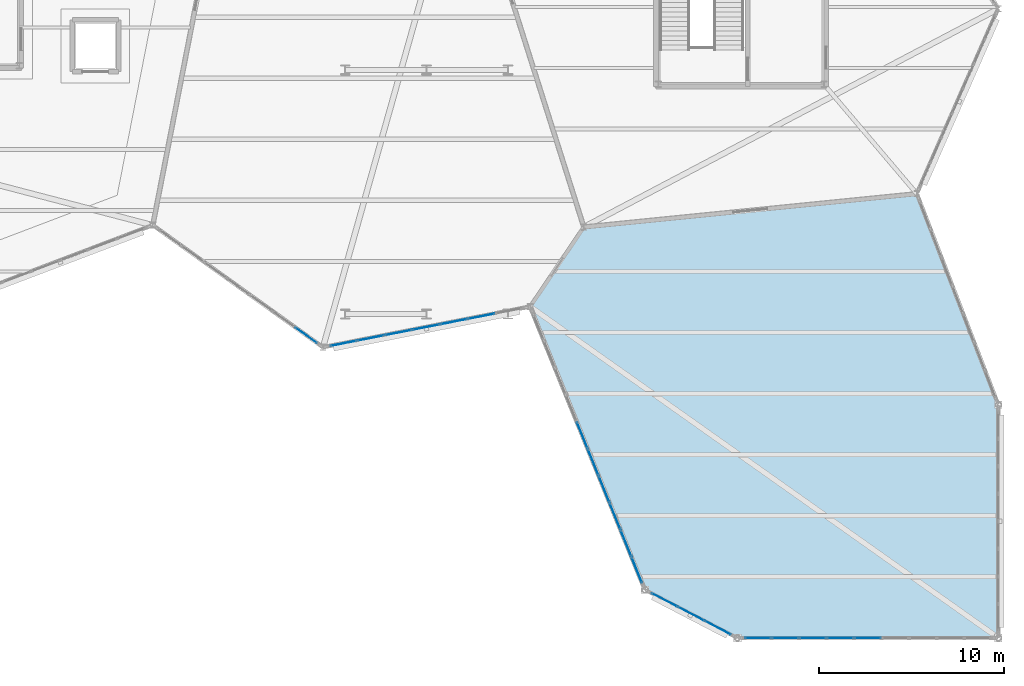
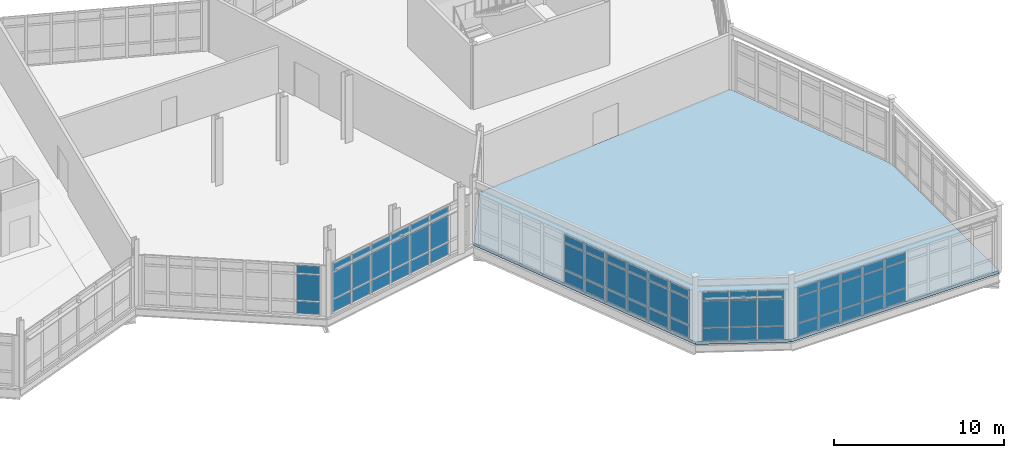
# One storey, part 96 of 134: 63 plates, 1 slab, 5 elements without a shape of their own.
"""IFC4 building model written with IfcOpenShell, lengths in metres."""

from ifc_helpers import new_model, si_unit, direction, frame, origin, origin_2d, place, context, subcontext, project, spatial, polyline, rectangle, outline, extrude, material, layer, layer_set, type_object, element, aggregate, save


model = new_model("IFC4")

# Units and contexts
model_context = context("Model", 3, precision=1e-05, world=origin(), true_north=direction((0.0, 1.0)))
body_context = subcontext(model_context, "Body", "Model", "MODEL_VIEW")
ifc_project = project(units=[si_unit("LENGTHUNIT", "METRE"), si_unit("AREAUNIT", "SQUARE_METRE"), si_unit("VOLUMEUNIT", "CUBIC_METRE"), si_unit("PLANEANGLEUNIT", "RADIAN"), si_unit("MASSUNIT", "GRAM", prefix="KILO")], contexts=[model_context])

# Site, building, storey
site_placement = place(None, origin())
site = spatial("IfcSite", under=ifc_project, at=site_placement, CompositionType="ELEMENT")
building_placement = place(site_placement, origin())
building = spatial("IfcBuilding", under=site, at=building_placement, Name="Tameran Prism Museum", CompositionType="ELEMENT")
storey_placement = place(building_placement, frame((0.0, 0.0, 5.39990234375)))
storey = spatial("IfcBuildingStorey", under=building, at=storey_placement, Name="L01", CompositionType="ELEMENT", Elevation=5.39990234375)

# Curtain wall, plates
ifc_material_1 = material(Name="Anodised Aluminium 6063-T6 and Cyclone Solar Glass", Category="aluminium")
curtain_wall_type_1 = type_object("IfcCurtainWallType", Name="CW-FAC-1065x362", PredefinedType="USERDEFINED", material=ifc_material_1)
curtain_wall_1_placement = place(storey_placement, origin())
curtain_wall_1 = element("IfcCurtainWall", 1, at=curtain_wall_1_placement, inside=storey, type_object=curtain_wall_type_1, Name="Unitised Curtain Wall CW-077", ObjectType="UNITISED CURTAIN WALL", PredefinedType="USERDEFINED")
ifc_material_2 = material(Name="Low-E Laminated Solar Glass", Category="glass")
ifc_layer_1 = layer(ifc_material_2, 0.028076171875)
ifc_layer_set_1 = layer_set([ifc_layer_1])
plate_type_1 = type_object("IfcPlateType", Name="CW-PNL-G28", PredefinedType="CURTAIN_PANEL", material=ifc_layer_set_1)
plate_1_placement = place(storey_placement, frame((138.457763671875, 17.380859375, 0.0751953125), z_axis=(0.0, 0.0, 1.0), x_axis=(-0.981242797485, -0.192775964228, 0.0)))
plate_1 = element("IfcPlate", 2, at=plate_1_placement, type_object=plate_type_1, Name="CW-077 panel 2.1", PredefinedType="CURTAIN_PANEL", context=body_context, shape_type="SweptSolid", body=[
    extrude(rectangle(XDim=1.447021484375, YDim=0.028076171875, at=origin_2d()), origin(), (0.0, 0.0, 1.0), 0.887451171875),
])
plate_2_placement = place(storey_placement, frame((138.457763671875, 17.380859375, 1.03759765625), z_axis=(0.0, 0.0, 1.0), x_axis=(-0.981242797485, -0.192775964228, 0.0)))
plate_2 = element("IfcPlate", 3, at=plate_2_placement, type_object=plate_type_1, Name="CW-077 panel 2.2", PredefinedType="CURTAIN_PANEL", context=body_context, shape_type="SweptSolid", body=[
    extrude(rectangle(XDim=1.447021484375, YDim=0.028076171875, at=origin_2d()), origin(), (0.0, 0.0, 1.0), 1.864990234375),
])
plate_3_placement = place(storey_placement, frame((138.457763671875, 17.380859375, 2.9775390625), z_axis=(0.0, 0.0, 1.0), x_axis=(-0.981242797485, -0.192775964228, 0.0)))
plate_3 = element("IfcPlate", 4, at=plate_3_placement, type_object=plate_type_1, Name="CW-077 panel 2.3", PredefinedType="CURTAIN_PANEL", context=body_context, shape_type="SweptSolid", body=[
    extrude(rectangle(XDim=1.447021484375, YDim=0.028076171875, at=origin_2d()), origin(), (0.0, 0.0, 1.0), 0.5673828125),
])
plate_4_placement = place(storey_placement, frame((136.964111328125, 17.08740234375, 0.0751953125), z_axis=(0.0, 0.0, 1.0), x_axis=(-0.981242797485, -0.192775964228, 0.0)))
plate_4 = element("IfcPlate", 5, at=plate_4_placement, type_object=plate_type_1, Name="CW-077 panel 3.1", PredefinedType="CURTAIN_PANEL", context=body_context, shape_type="SweptSolid", body=[
    extrude(rectangle(XDim=1.447021484375, YDim=0.028076171875, at=origin_2d()), origin(), (0.0, 0.0, 1.0), 0.887451171875),
])
plate_5_placement = place(storey_placement, frame((136.964111328125, 17.08740234375, 1.03759765625), z_axis=(0.0, 0.0, 1.0), x_axis=(-0.981242797485, -0.192775964228, 0.0)))
plate_5 = element("IfcPlate", 6, at=plate_5_placement, type_object=plate_type_1, Name="CW-077 panel 3.2", PredefinedType="CURTAIN_PANEL", context=body_context, shape_type="SweptSolid", body=[
    extrude(rectangle(XDim=1.447021484375, YDim=0.028076171875, at=origin_2d()), origin(), (0.0, 0.0, 1.0), 1.864990234375),
])
plate_6_placement = place(storey_placement, frame((136.964111328125, 17.08740234375, 2.9775390625), z_axis=(0.0, 0.0, 1.0), x_axis=(-0.981242797485, -0.192775964228, 0.0)))
plate_6 = element("IfcPlate", 7, at=plate_6_placement, type_object=plate_type_1, Name="CW-077 panel 3.3", PredefinedType="CURTAIN_PANEL", context=body_context, shape_type="SweptSolid", body=[
    extrude(rectangle(XDim=1.447021484375, YDim=0.028076171875, at=origin_2d()), origin(), (0.0, 0.0, 1.0), 0.5673828125),
])
plate_7_placement = place(storey_placement, frame((135.470458984375, 16.7939453125, 0.0751953125), z_axis=(0.0, 0.0, 1.0), x_axis=(-0.981242797485, -0.192775964228, 0.0)))
plate_7 = element("IfcPlate", 8, at=plate_7_placement, type_object=plate_type_1, Name="CW-077 panel 4.1", PredefinedType="CURTAIN_PANEL", context=body_context, shape_type="SweptSolid", body=[
    extrude(rectangle(XDim=1.447021484375, YDim=0.028076171875, at=origin_2d()), origin(), (0.0, 0.0, 1.0), 0.887451171875),
])
plate_8_placement = place(storey_placement, frame((135.470458984375, 16.7939453125, 1.03759765625), z_axis=(0.0, 0.0, 1.0), x_axis=(-0.981242797485, -0.192775964228, 0.0)))
plate_8 = element("IfcPlate", 9, at=plate_8_placement, type_object=plate_type_1, Name="CW-077 panel 4.2", PredefinedType="CURTAIN_PANEL", context=body_context, shape_type="SweptSolid", body=[
    extrude(rectangle(XDim=1.447021484375, YDim=0.028076171875, at=origin_2d()), origin(), (0.0, 0.0, 1.0), 1.864990234375),
])
plate_9_placement = place(storey_placement, frame((135.470458984375, 16.7939453125, 2.9775390625), z_axis=(0.0, 0.0, 1.0), x_axis=(-0.981242797485, -0.192775964228, 0.0)))
plate_9 = element("IfcPlate", 10, at=plate_9_placement, type_object=plate_type_1, Name="CW-077 panel 4.3", PredefinedType="CURTAIN_PANEL", context=body_context, shape_type="SweptSolid", body=[
    extrude(rectangle(XDim=1.447021484375, YDim=0.028076171875, at=origin_2d()), origin(), (0.0, 0.0, 1.0), 0.5673828125),
])
plate_10_placement = place(storey_placement, frame((133.976806640625, 16.50048828125, 0.0751953125), z_axis=(0.0, 0.0, 1.0), x_axis=(-0.981242797485, -0.192775964228, 0.0)))
plate_10 = element("IfcPlate", 11, at=plate_10_placement, type_object=plate_type_1, Name="CW-077 panel 5.1", PredefinedType="CURTAIN_PANEL", context=body_context, shape_type="SweptSolid", body=[
    extrude(rectangle(XDim=1.447021484375, YDim=0.028076171875, at=origin_2d()), origin(), (0.0, 0.0, 1.0), 0.887451171875),
])
plate_11_placement = place(storey_placement, frame((133.976806640625, 16.50048828125, 1.03759765625), z_axis=(0.0, 0.0, 1.0), x_axis=(-0.981242797485, -0.192775964228, 0.0)))
plate_11 = element("IfcPlate", 12, at=plate_11_placement, type_object=plate_type_1, Name="CW-077 panel 5.2", PredefinedType="CURTAIN_PANEL", context=body_context, shape_type="SweptSolid", body=[
    extrude(rectangle(XDim=1.447021484375, YDim=0.028076171875, at=origin_2d()), origin(), (0.0, 0.0, 1.0), 1.864990234375),
])
plate_12_placement = place(storey_placement, frame((133.976806640625, 16.50048828125, 2.9775390625), z_axis=(0.0, 0.0, 1.0), x_axis=(-0.981242797485, -0.192775964228, 0.0)))
plate_12 = element("IfcPlate", 13, at=plate_12_placement, type_object=plate_type_1, Name="CW-077 panel 5.3", PredefinedType="CURTAIN_PANEL", context=body_context, shape_type="SweptSolid", body=[
    extrude(rectangle(XDim=1.447021484375, YDim=0.028076171875, at=origin_2d()), origin(), (0.0, 0.0, 1.0), 0.5673828125),
])
plate_13_placement = place(storey_placement, frame((132.4833984375, 16.20703125, 0.0751953125), z_axis=(0.0, 0.0, 1.0), x_axis=(-0.981242797485, -0.192775964228, 0.0)))
plate_13 = element("IfcPlate", 14, at=plate_13_placement, type_object=plate_type_1, Name="CW-077 panel 6.1", PredefinedType="CURTAIN_PANEL", context=body_context, shape_type="SweptSolid", body=[
    extrude(rectangle(XDim=1.447021484375, YDim=0.028076171875, at=origin_2d()), origin(), (0.0, 0.0, 1.0), 0.887451171875),
])
plate_14_placement = place(storey_placement, frame((132.4833984375, 16.20703125, 1.03759765625), z_axis=(0.0, 0.0, 1.0), x_axis=(-0.981242797485, -0.192775964228, 0.0)))
plate_14 = element("IfcPlate", 15, at=plate_14_placement, type_object=plate_type_1, Name="CW-077 panel 6.2", PredefinedType="CURTAIN_PANEL", context=body_context, shape_type="SweptSolid", body=[
    extrude(rectangle(XDim=1.447021484375, YDim=0.028076171875, at=origin_2d()), origin(), (0.0, 0.0, 1.0), 1.864990234375),
])
plate_15_placement = place(storey_placement, frame((132.4833984375, 16.20703125, 2.9775390625), z_axis=(0.0, 0.0, 1.0), x_axis=(-0.981242797485, -0.192775964228, 0.0)))
plate_15 = element("IfcPlate", 16, at=plate_15_placement, type_object=plate_type_1, Name="CW-077 panel 6.3", PredefinedType="CURTAIN_PANEL", context=body_context, shape_type="SweptSolid", body=[
    extrude(rectangle(XDim=1.447021484375, YDim=0.028076171875, at=origin_2d()), origin(), (0.0, 0.0, 1.0), 0.5673828125),
])
plate_16_placement = place(storey_placement, frame((131.00830078125, 15.917236328125, 0.0751953125), z_axis=(0.0, 0.0, 1.0), x_axis=(-0.981242797485, -0.192775964228, 0.0)))
plate_16 = element("IfcPlate", 17, at=plate_16_placement, type_object=plate_type_1, Name="CW-077 panel 7.1", PredefinedType="CURTAIN_PANEL", context=body_context, shape_type="SweptSolid", body=[
    extrude(rectangle(XDim=1.40966796875, YDim=0.028076171875, at=origin_2d()), origin(), (0.0, 0.0, 1.0), 0.887451171875),
])
plate_17_placement = place(storey_placement, frame((131.00830078125, 15.917236328125, 1.03759765625), z_axis=(0.0, 0.0, 1.0), x_axis=(-0.981242797485, -0.192775964228, 0.0)))
plate_17 = element("IfcPlate", 18, at=plate_17_placement, type_object=plate_type_1, Name="CW-077 panel 7.2", PredefinedType="CURTAIN_PANEL", context=body_context, shape_type="SweptSolid", body=[
    extrude(rectangle(XDim=1.40966796875, YDim=0.028076171875, at=origin_2d()), origin(), (0.0, 0.0, 1.0), 1.864990234375),
])
plate_18_placement = place(storey_placement, frame((131.00830078125, 15.917236328125, 2.9775390625), z_axis=(0.0, 0.0, 1.0), x_axis=(-0.981242797485, -0.192775964228, 0.0)))
plate_18 = element("IfcPlate", 19, at=plate_18_placement, type_object=plate_type_1, Name="CW-077 panel 7.3", PredefinedType="CURTAIN_PANEL", context=body_context, shape_type="SweptSolid", body=[
    extrude(rectangle(XDim=1.40966796875, YDim=0.028076171875, at=origin_2d()), origin(), (0.0, 0.0, 1.0), 0.5673828125),
])
aggregate(curtain_wall_1, [plate_1, plate_2, plate_3, plate_4, plate_5, plate_6, plate_7, plate_8, plate_9, plate_10, plate_11, plate_12, plate_13, plate_14, plate_15, plate_16, plate_17, plate_18])

ifc_material_3 = material(Name="Anodised Aluminium 6063-T6 and Cyclone Solar Glass", Category="aluminium")
curtain_wall_type_2 = type_object("IfcCurtainWallType", Name="CW-FAC-1340x362", PredefinedType="USERDEFINED", material=ifc_material_3)
curtain_wall_2_placement = place(storey_placement, origin())
curtain_wall_2 = element("IfcCurtainWall", 20, at=curtain_wall_2_placement, inside=storey, type_object=curtain_wall_type_2, Name="Unitised Curtain Wall CW-080", ObjectType="UNITISED CURTAIN WALL", PredefinedType="USERDEFINED")
plate_19_placement = place(storey_placement, frame((159.35009765625, 0.0, 0.070068359375), z_axis=(0.0, 0.0, 1.0), x_axis=(-1.0, 0.0, 0.0)))
plate_19 = element("IfcPlate", 21, at=plate_19_placement, type_object=plate_type_1, Name="CW-080 panel 5.1", PredefinedType="CURTAIN_PANEL", context=body_context, shape_type="SweptSolid", body=[
    extrude(rectangle(XDim=1.4189453125, YDim=0.028076171875, at=origin_2d()), origin(), (0.0, 0.0, 1.0), 0.89501953125),
])
plate_20_placement = place(storey_placement, frame((159.35009765625, 0.0, 1.03515625), z_axis=(0.0, 0.0, 1.0), x_axis=(-1.0, 0.0, 0.0)))
plate_20 = element("IfcPlate", 22, at=plate_20_placement, type_object=plate_type_1, Name="CW-080 panel 5.2", PredefinedType="CURTAIN_PANEL", context=body_context, shape_type="SweptSolid", body=[
    extrude(rectangle(XDim=1.4189453125, YDim=0.028076171875, at=origin_2d()), origin(), (0.0, 0.0, 1.0), 1.8701171875),
])
plate_21_placement = place(storey_placement, frame((159.35009765625, 0.0, 2.97509765625), z_axis=(0.0, 0.0, 1.0), x_axis=(-1.0, 0.0, 0.0)))
plate_21 = element("IfcPlate", 23, at=plate_21_placement, type_object=plate_type_1, Name="CW-080 panel 5.3", PredefinedType="CURTAIN_PANEL", context=body_context, shape_type="SweptSolid", body=[
    extrude(rectangle(XDim=1.4189453125, YDim=0.028076171875, at=origin_2d()), origin(), (0.0, 0.0, 1.0), 0.574951171875),
])
plate_22_placement = place(storey_placement, frame((157.861083984375, 0.0, 0.070068359375), z_axis=(0.0, 0.0, 1.0), x_axis=(-1.0, 0.0, 0.0)))
plate_22 = element("IfcPlate", 24, at=plate_22_placement, type_object=plate_type_1, Name="CW-080 panel 6.1", PredefinedType="CURTAIN_PANEL", context=body_context, shape_type="SweptSolid", body=[
    extrude(rectangle(XDim=1.4189453125, YDim=0.028076171875, at=origin_2d()), origin(), (0.0, 0.0, 1.0), 0.89501953125),
])
plate_23_placement = place(storey_placement, frame((157.861083984375, 0.0, 1.03515625), z_axis=(0.0, 0.0, 1.0), x_axis=(-1.0, 0.0, 0.0)))
plate_23 = element("IfcPlate", 25, at=plate_23_placement, type_object=plate_type_1, Name="CW-080 panel 6.2", PredefinedType="CURTAIN_PANEL", context=body_context, shape_type="SweptSolid", body=[
    extrude(rectangle(XDim=1.4189453125, YDim=0.028076171875, at=origin_2d()), origin(), (0.0, 0.0, 1.0), 1.8701171875),
])
plate_24_placement = place(storey_placement, frame((157.861083984375, 0.0, 2.97509765625), z_axis=(0.0, 0.0, 1.0), x_axis=(-1.0, 0.0, 0.0)))
plate_24 = element("IfcPlate", 26, at=plate_24_placement, type_object=plate_type_1, Name="CW-080 panel 6.3", PredefinedType="CURTAIN_PANEL", context=body_context, shape_type="SweptSolid", body=[
    extrude(rectangle(XDim=1.4189453125, YDim=0.028076171875, at=origin_2d()), origin(), (0.0, 0.0, 1.0), 0.574951171875),
])
plate_25_placement = place(storey_placement, frame((156.372314453125, 0.0, 0.070068359375), z_axis=(0.0, 0.0, 1.0), x_axis=(-1.0, 0.0, 0.0)))
plate_25 = element("IfcPlate", 27, at=plate_25_placement, type_object=plate_type_1, Name="CW-080 panel 7.1", PredefinedType="CURTAIN_PANEL", context=body_context, shape_type="SweptSolid", body=[
    extrude(rectangle(XDim=1.4189453125, YDim=0.028076171875, at=origin_2d()), origin(), (0.0, 0.0, 1.0), 0.89501953125),
])
plate_26_placement = place(storey_placement, frame((156.372314453125, 0.0, 1.03515625), z_axis=(0.0, 0.0, 1.0), x_axis=(-1.0, 0.0, 0.0)))
plate_26 = element("IfcPlate", 28, at=plate_26_placement, type_object=plate_type_1, Name="CW-080 panel 7.2", PredefinedType="CURTAIN_PANEL", context=body_context, shape_type="SweptSolid", body=[
    extrude(rectangle(XDim=1.4189453125, YDim=0.028076171875, at=origin_2d()), origin(), (0.0, 0.0, 1.0), 1.8701171875),
])
plate_27_placement = place(storey_placement, frame((156.372314453125, 0.0, 2.97509765625), z_axis=(0.0, 0.0, 1.0), x_axis=(-1.0, 0.0, 0.0)))
plate_27 = element("IfcPlate", 29, at=plate_27_placement, type_object=plate_type_1, Name="CW-080 panel 7.3", PredefinedType="CURTAIN_PANEL", context=body_context, shape_type="SweptSolid", body=[
    extrude(rectangle(XDim=1.4189453125, YDim=0.028076171875, at=origin_2d()), origin(), (0.0, 0.0, 1.0), 0.574951171875),
])
plate_28_placement = place(storey_placement, frame((154.88330078125, 0.0, 0.070068359375), z_axis=(0.0, 0.0, 1.0), x_axis=(-1.0, 0.0, 0.0)))
plate_28 = element("IfcPlate", 30, at=plate_28_placement, type_object=plate_type_1, Name="CW-080 panel 8.1", PredefinedType="CURTAIN_PANEL", context=body_context, shape_type="SweptSolid", body=[
    extrude(rectangle(XDim=1.4189453125, YDim=0.028076171875, at=origin_2d()), origin(), (0.0, 0.0, 1.0), 0.89501953125),
])
plate_29_placement = place(storey_placement, frame((154.88330078125, 0.0, 1.03515625), z_axis=(0.0, 0.0, 1.0), x_axis=(-1.0, 0.0, 0.0)))
plate_29 = element("IfcPlate", 31, at=plate_29_placement, type_object=plate_type_1, Name="CW-080 panel 8.2", PredefinedType="CURTAIN_PANEL", context=body_context, shape_type="SweptSolid", body=[
    extrude(rectangle(XDim=1.4189453125, YDim=0.028076171875, at=origin_2d()), origin(), (0.0, 0.0, 1.0), 1.8701171875),
])
plate_30_placement = place(storey_placement, frame((154.88330078125, 0.0, 2.97509765625), z_axis=(0.0, 0.0, 1.0), x_axis=(-1.0, 0.0, 0.0)))
plate_30 = element("IfcPlate", 32, at=plate_30_placement, type_object=plate_type_1, Name="CW-080 panel 8.3", PredefinedType="CURTAIN_PANEL", context=body_context, shape_type="SweptSolid", body=[
    extrude(rectangle(XDim=1.4189453125, YDim=0.028076171875, at=origin_2d()), origin(), (0.0, 0.0, 1.0), 0.574951171875),
])
plate_31_placement = place(storey_placement, frame((153.411865234375, 0.0, 0.070068359375), z_axis=(0.0, 0.0, 1.0), x_axis=(-1.0, 0.0, 0.0)))
plate_31 = element("IfcPlate", 33, at=plate_31_placement, type_object=plate_type_1, Name="CW-080 panel 9.1", PredefinedType="CURTAIN_PANEL", context=body_context, shape_type="SweptSolid", body=[
    extrude(rectangle(XDim=1.3837890625, YDim=0.028076171875, at=origin_2d()), origin(), (0.0, 0.0, 1.0), 0.89501953125),
])
plate_32_placement = place(storey_placement, frame((153.411865234375, 0.0, 1.03515625), z_axis=(0.0, 0.0, 1.0), x_axis=(-1.0, 0.0, 0.0)))
plate_32 = element("IfcPlate", 34, at=plate_32_placement, type_object=plate_type_1, Name="CW-080 panel 9.2", PredefinedType="CURTAIN_PANEL", context=body_context, shape_type="SweptSolid", body=[
    extrude(rectangle(XDim=1.3837890625, YDim=0.028076171875, at=origin_2d()), origin(), (0.0, 0.0, 1.0), 1.8701171875),
])
plate_33_placement = place(storey_placement, frame((153.411865234375, 0.0, 2.97509765625), z_axis=(0.0, 0.0, 1.0), x_axis=(-1.0, 0.0, 0.0)))
plate_33 = element("IfcPlate", 35, at=plate_33_placement, type_object=plate_type_1, Name="CW-080 panel 9.3", PredefinedType="CURTAIN_PANEL", context=body_context, shape_type="SweptSolid", body=[
    extrude(rectangle(XDim=1.3837890625, YDim=0.028076171875, at=origin_2d()), origin(), (0.0, 0.0, 1.0), 0.574951171875),
])
aggregate(curtain_wall_2, [plate_19, plate_20, plate_21, plate_22, plate_23, plate_24, plate_25, plate_26, plate_27, plate_28, plate_29, plate_30, plate_31, plate_32, plate_33])

ifc_material_4 = material(Name="Anodised Aluminium 6063-T6 and Cyclone Solar Glass", Category="aluminium")
curtain_wall_type_3 = type_object("IfcCurtainWallType", Name="CW-FAC-1056x362", PredefinedType="USERDEFINED", material=ifc_material_4)
curtain_wall_3_placement = place(storey_placement, origin())
curtain_wall_3 = element("IfcCurtainWall", 36, at=curtain_wall_3_placement, inside=storey, type_object=curtain_wall_type_3, Name="Unitised Curtain Wall CW-076", ObjectType="UNITISED CURTAIN WALL", PredefinedType="USERDEFINED")
ifc_material_5 = material(Name="Cyclone Laminated Solar Glass", Category="glass")
ifc_layer_2 = layer(ifc_material_5, 0.031982421875)
ifc_layer_set_2 = layer_set([ifc_layer_2])
plate_type_2 = type_object("IfcPlateType", Name="CW-PNL-G32", PredefinedType="CURTAIN_PANEL", material=ifc_layer_set_2)
plate_34_placement = place(storey_placement, frame((128.98876953125, 16.35400390625, 0.070068359375), z_axis=(0.0, 0.0, 1.0), x_axis=(-0.812554821293, 0.582884776259, 0.0)))
plate_34 = element("IfcPlate", 37, at=plate_34_placement, type_object=plate_type_2, Name="CW-076 panel 1.1", PredefinedType="CURTAIN_PANEL", context=body_context, shape_type="SweptSolid", body=[
    extrude(rectangle(XDim=1.404052734375, YDim=0.031982421875, at=origin_2d()), origin(), (0.0, 0.0, 1.0), 0.89501953125),
])
plate_35_placement = place(storey_placement, frame((128.98876953125, 16.35400390625, 1.03515625), z_axis=(0.0, 0.0, 1.0), x_axis=(-0.812554821293, 0.582884776259, 0.0)))
plate_35 = element("IfcPlate", 38, at=plate_35_placement, type_object=plate_type_2, Name="CW-076 panel 1.2", PredefinedType="CURTAIN_PANEL", context=body_context, shape_type="SweptSolid", body=[
    extrude(rectangle(XDim=1.404052734375, YDim=0.031982421875, at=origin_2d()), origin(), (0.0, 0.0, 1.0), 1.8701171875),
])
plate_36_placement = place(storey_placement, frame((128.98876953125, 16.35400390625, 2.97509765625), z_axis=(0.0, 0.0, 1.0), x_axis=(-0.812554821293, 0.582884776259, 0.0)))
plate_36 = element("IfcPlate", 39, at=plate_36_placement, type_object=plate_type_2, Name="CW-076 panel 1.3", PredefinedType="CURTAIN_PANEL", context=body_context, shape_type="SweptSolid", body=[
    extrude(rectangle(XDim=1.404052734375, YDim=0.031982421875, at=origin_2d()), origin(), (0.0, 0.0, 1.0), 0.574951171875),
])
aggregate(curtain_wall_3, [plate_34, plate_35, plate_36])

ifc_material_6 = material(Name="Anodised Aluminium 6063-T6 and Cyclone Solar Glass", Category="aluminium")
curtain_wall_type_4 = type_object("IfcCurtainWallType", Name="CW-FAC-1575x362", PredefinedType="USERDEFINED", material=ifc_material_6)
curtain_wall_4_placement = place(storey_placement, origin())
curtain_wall_4 = element("IfcCurtainWall", 40, at=curtain_wall_4_placement, inside=storey, type_object=curtain_wall_type_4, Name="Unitised Curtain Wall CW-078", ObjectType="UNITISED CURTAIN WALL", PredefinedType="USERDEFINED")
plate_37_placement = place(storey_placement, frame((146.86572265625, 3.67236328125, 0.080078125), z_axis=(0.0, 0.0, 1.0), x_axis=(-0.375579825863, 0.926790048719, 0.0)))
plate_37 = element("IfcPlate", 41, at=plate_37_placement, type_object=plate_type_2, Name="CW-078 panel 1.1", PredefinedType="CURTAIN_PANEL", context=body_context, shape_type="SweptSolid", body=[
    extrude(rectangle(XDim=1.454833984375, YDim=0.031982421875, at=origin_2d()), origin(), (0.0, 0.0, 1.0), 0.8798828125),
])
plate_38_placement = place(storey_placement, frame((146.86572265625, 3.67236328125, 1.0400390625), z_axis=(0.0, 0.0, 1.0), x_axis=(-0.375579825863, 0.926790048719, 0.0)))
plate_38 = element("IfcPlate", 42, at=plate_38_placement, type_object=plate_type_2, Name="CW-078 panel 1.2", PredefinedType="CURTAIN_PANEL", context=body_context, shape_type="SweptSolid", body=[
    extrude(rectangle(XDim=1.454833984375, YDim=0.031982421875, at=origin_2d()), origin(), (0.0, 0.0, 1.0), 1.860107421875),
])
plate_39_placement = place(storey_placement, frame((146.86572265625, 3.67236328125, 2.97998046875), z_axis=(0.0, 0.0, 1.0), x_axis=(-0.375579825863, 0.926790048719, 0.0)))
plate_39 = element("IfcPlate", 43, at=plate_39_placement, type_object=plate_type_2, Name="CW-078 panel 1.3", PredefinedType="CURTAIN_PANEL", context=body_context, shape_type="SweptSolid", body=[
    extrude(rectangle(XDim=1.454833984375, YDim=0.031982421875, at=origin_2d()), origin(), (0.0, 0.0, 1.0), 0.56005859375),
])
plate_40_placement = place(storey_placement, frame((146.28173828125, 5.11328125, 0.080078125), z_axis=(0.0, 0.0, 1.0), x_axis=(-0.375579825863, 0.926790048719, 0.0)))
plate_40 = element("IfcPlate", 44, at=plate_40_placement, type_object=plate_type_2, Name="CW-078 panel 2.1", PredefinedType="CURTAIN_PANEL", context=body_context, shape_type="SweptSolid", body=[
    extrude(rectangle(XDim=1.494873046875, YDim=0.031982421875, at=origin_2d()), origin(), (0.0, 0.0, 1.0), 0.8798828125),
])
plate_41_placement = place(storey_placement, frame((146.28173828125, 5.11328125, 1.0400390625), z_axis=(0.0, 0.0, 1.0), x_axis=(-0.375579825863, 0.926790048719, 0.0)))
plate_41 = element("IfcPlate", 45, at=plate_41_placement, type_object=plate_type_2, Name="CW-078 panel 2.2", PredefinedType="CURTAIN_PANEL", context=body_context, shape_type="SweptSolid", body=[
    extrude(rectangle(XDim=1.494873046875, YDim=0.031982421875, at=origin_2d()), origin(), (0.0, 0.0, 1.0), 1.860107421875),
])
plate_42_placement = place(storey_placement, frame((146.28173828125, 5.11328125, 2.97998046875), z_axis=(0.0, 0.0, 1.0), x_axis=(-0.375579825863, 0.926790048719, 0.0)))
plate_42 = element("IfcPlate", 46, at=plate_42_placement, type_object=plate_type_2, Name="CW-078 panel 2.3", PredefinedType="CURTAIN_PANEL", context=body_context, shape_type="SweptSolid", body=[
    extrude(rectangle(XDim=1.494873046875, YDim=0.031982421875, at=origin_2d()), origin(), (0.0, 0.0, 1.0), 0.56005859375),
])
plate_43_placement = place(storey_placement, frame((145.690185546875, 6.572998046875, 0.080078125), z_axis=(0.0, 0.0, 1.0), x_axis=(-0.375579825863, 0.926790048719, 0.0)))
plate_43 = element("IfcPlate", 47, at=plate_43_placement, type_object=plate_type_2, Name="CW-078 panel 3.1", PredefinedType="CURTAIN_PANEL", context=body_context, shape_type="SweptSolid", body=[
    extrude(rectangle(XDim=1.494873046875, YDim=0.031982421875, at=origin_2d()), origin(), (0.0, 0.0, 1.0), 0.8798828125),
])
plate_44_placement = place(storey_placement, frame((145.690185546875, 6.572998046875, 1.0400390625), z_axis=(0.0, 0.0, 1.0), x_axis=(-0.375579825863, 0.926790048719, 0.0)))
plate_44 = element("IfcPlate", 48, at=plate_44_placement, type_object=plate_type_2, Name="CW-078 panel 3.2", PredefinedType="CURTAIN_PANEL", context=body_context, shape_type="SweptSolid", body=[
    extrude(rectangle(XDim=1.494873046875, YDim=0.031982421875, at=origin_2d()), origin(), (0.0, 0.0, 1.0), 1.860107421875),
])
plate_45_placement = place(storey_placement, frame((145.690185546875, 6.572998046875, 2.97998046875), z_axis=(0.0, 0.0, 1.0), x_axis=(-0.375579825863, 0.926790048719, 0.0)))
plate_45 = element("IfcPlate", 49, at=plate_45_placement, type_object=plate_type_2, Name="CW-078 panel 3.3", PredefinedType="CURTAIN_PANEL", context=body_context, shape_type="SweptSolid", body=[
    extrude(rectangle(XDim=1.494873046875, YDim=0.031982421875, at=origin_2d()), origin(), (0.0, 0.0, 1.0), 0.56005859375),
])
plate_46_placement = place(storey_placement, frame((145.0986328125, 8.03271484375, 0.080078125), z_axis=(0.0, 0.0, 1.0), x_axis=(-0.375579825863, 0.926790048719, 0.0)))
plate_46 = element("IfcPlate", 50, at=plate_46_placement, type_object=plate_type_2, Name="CW-078 panel 4.1", PredefinedType="CURTAIN_PANEL", context=body_context, shape_type="SweptSolid", body=[
    extrude(rectangle(XDim=1.494873046875, YDim=0.031982421875, at=origin_2d()), origin(), (0.0, 0.0, 1.0), 0.8798828125),
])
plate_47_placement = place(storey_placement, frame((145.0986328125, 8.03271484375, 1.0400390625), z_axis=(0.0, 0.0, 1.0), x_axis=(-0.375579825863, 0.926790048719, 0.0)))
plate_47 = element("IfcPlate", 51, at=plate_47_placement, type_object=plate_type_2, Name="CW-078 panel 4.2", PredefinedType="CURTAIN_PANEL", context=body_context, shape_type="SweptSolid", body=[
    extrude(rectangle(XDim=1.494873046875, YDim=0.031982421875, at=origin_2d()), origin(), (0.0, 0.0, 1.0), 1.860107421875),
])
plate_48_placement = place(storey_placement, frame((145.0986328125, 8.03271484375, 2.97998046875), z_axis=(0.0, 0.0, 1.0), x_axis=(-0.375579825863, 0.926790048719, 0.0)))
plate_48 = element("IfcPlate", 52, at=plate_48_placement, type_object=plate_type_2, Name="CW-078 panel 4.3", PredefinedType="CURTAIN_PANEL", context=body_context, shape_type="SweptSolid", body=[
    extrude(rectangle(XDim=1.494873046875, YDim=0.031982421875, at=origin_2d()), origin(), (0.0, 0.0, 1.0), 0.56005859375),
])
plate_49_placement = place(storey_placement, frame((144.50732421875, 9.4921875, 0.080078125), z_axis=(0.0, 0.0, 1.0), x_axis=(-0.375579825863, 0.926790048719, 0.0)))
plate_49 = element("IfcPlate", 53, at=plate_49_placement, type_object=plate_type_2, Name="CW-078 panel 5.1", PredefinedType="CURTAIN_PANEL", context=body_context, shape_type="SweptSolid", body=[
    extrude(rectangle(XDim=1.494873046875, YDim=0.031982421875, at=origin_2d()), origin(), (0.0, 0.0, 1.0), 0.8798828125),
])
plate_50_placement = place(storey_placement, frame((144.50732421875, 9.4921875, 1.0400390625), z_axis=(0.0, 0.0, 1.0), x_axis=(-0.375579825863, 0.926790048719, 0.0)))
plate_50 = element("IfcPlate", 54, at=plate_50_placement, type_object=plate_type_2, Name="CW-078 panel 5.2", PredefinedType="CURTAIN_PANEL", context=body_context, shape_type="SweptSolid", body=[
    extrude(rectangle(XDim=1.494873046875, YDim=0.031982421875, at=origin_2d()), origin(), (0.0, 0.0, 1.0), 1.860107421875),
])
plate_51_placement = place(storey_placement, frame((144.50732421875, 9.4921875, 2.97998046875), z_axis=(0.0, 0.0, 1.0), x_axis=(-0.375579825863, 0.926790048719, 0.0)))
plate_51 = element("IfcPlate", 55, at=plate_51_placement, type_object=plate_type_2, Name="CW-078 panel 5.3", PredefinedType="CURTAIN_PANEL", context=body_context, shape_type="SweptSolid", body=[
    extrude(rectangle(XDim=1.494873046875, YDim=0.031982421875, at=origin_2d()), origin(), (0.0, 0.0, 1.0), 0.56005859375),
])
plate_52_placement = place(storey_placement, frame((143.915771484375, 10.951904296875, 0.080078125), z_axis=(0.0, 0.0, 1.0), x_axis=(-0.375579825863, 0.926790048719, 0.0)))
plate_52 = element("IfcPlate", 56, at=plate_52_placement, type_object=plate_type_2, Name="CW-078 panel 6.1", PredefinedType="CURTAIN_PANEL", context=body_context, shape_type="SweptSolid", body=[
    extrude(rectangle(XDim=1.494873046875, YDim=0.031982421875, at=origin_2d()), origin(), (0.0, 0.0, 1.0), 0.8798828125),
])
plate_53_placement = place(storey_placement, frame((143.915771484375, 10.951904296875, 1.0400390625), z_axis=(0.0, 0.0, 1.0), x_axis=(-0.375579825863, 0.926790048719, 0.0)))
plate_53 = element("IfcPlate", 57, at=plate_53_placement, type_object=plate_type_2, Name="CW-078 panel 6.2", PredefinedType="CURTAIN_PANEL", context=body_context, shape_type="SweptSolid", body=[
    extrude(rectangle(XDim=1.494873046875, YDim=0.031982421875, at=origin_2d()), origin(), (0.0, 0.0, 1.0), 1.860107421875),
])
plate_54_placement = place(storey_placement, frame((143.915771484375, 10.951904296875, 2.97998046875), z_axis=(0.0, 0.0, 1.0), x_axis=(-0.375579825863, 0.926790048719, 0.0)))
plate_54 = element("IfcPlate", 58, at=plate_54_placement, type_object=plate_type_2, Name="CW-078 panel 6.3", PredefinedType="CURTAIN_PANEL", context=body_context, shape_type="SweptSolid", body=[
    extrude(rectangle(XDim=1.494873046875, YDim=0.031982421875, at=origin_2d()), origin(), (0.0, 0.0, 1.0), 0.56005859375),
])
aggregate(curtain_wall_4, [plate_37, plate_38, plate_39, plate_40, plate_41, plate_42, plate_43, plate_44, plate_45, plate_46, plate_47, plate_48, plate_49, plate_50, plate_51, plate_52, plate_53, plate_54])

ifc_material_7 = material(Name="Anodised Aluminium 6063-T6 and Cyclone Solar Glass", Category="aluminium")
curtain_wall_type_5 = type_object("IfcCurtainWallType", Name="CW-FAC-494x362", PredefinedType="USERDEFINED", material=ifc_material_7)
curtain_wall_5_placement = place(storey_placement, origin())
curtain_wall_5 = element("IfcCurtainWall", 59, at=curtain_wall_5_placement, inside=storey, type_object=curtain_wall_type_5, Name="Unitised Curtain Wall CW-079", ObjectType="UNITISED CURTAIN WALL", PredefinedType="USERDEFINED")
plate_55_placement = place(storey_placement, frame((151.244873046875, 0.548095703125, 0.06494140625), z_axis=(0.0, 0.0, 1.0), x_axis=(-0.887097339463, 0.461582398188, 0.0)))
plate_55 = element("IfcPlate", 60, at=plate_55_placement, type_object=plate_type_2, Name="CW-079 panel 1.1", PredefinedType="CURTAIN_PANEL", context=body_context, shape_type="SweptSolid", body=[
    extrude(rectangle(XDim=1.547607421875, YDim=0.031982421875, at=origin_2d()), origin(), (0.0, 0.0, 1.0), 0.902587890625),
])
plate_56_placement = place(storey_placement, frame((151.244873046875, 0.548095703125, 1.03271484375), z_axis=(0.0, 0.0, 1.0), x_axis=(-0.887097339463, 0.461582398188, 0.0)))
plate_56 = element("IfcPlate", 61, at=plate_56_placement, type_object=plate_type_2, Name="CW-079 panel 1.2", PredefinedType="CURTAIN_PANEL", context=body_context, shape_type="SweptSolid", body=[
    extrude(rectangle(XDim=1.547607421875, YDim=0.031982421875, at=origin_2d()), origin(), (0.0, 0.0, 1.0), 1.875),
])
plate_57_placement = place(storey_placement, frame((151.244873046875, 0.548095703125, 2.97265625), z_axis=(0.0, 0.0, 1.0), x_axis=(-0.887097339463, 0.461582398188, 0.0)))
plate_57 = element("IfcPlate", 62, at=plate_57_placement, type_object=plate_type_2, Name="CW-079 panel 1.3", PredefinedType="CURTAIN_PANEL", context=body_context, shape_type="SweptSolid", body=[
    extrude(rectangle(XDim=1.547607421875, YDim=0.031982421875, at=origin_2d()), origin(), (0.0, 0.0, 1.0), 0.58251953125),
])
plate_58_placement = place(storey_placement, frame((149.800048828125, 1.300048828125, 0.06494140625), z_axis=(0.0, 0.0, 1.0), x_axis=(-0.887097339463, 0.461582398188, 0.0)))
plate_58 = element("IfcPlate", 63, at=plate_58_placement, type_object=plate_type_2, Name="CW-079 panel 2.1", PredefinedType="CURTAIN_PANEL", context=body_context, shape_type="SweptSolid", body=[
    extrude(rectangle(XDim=1.580078125, YDim=0.031982421875, at=origin_2d()), origin(), (0.0, 0.0, 1.0), 0.902587890625),
])
plate_59_placement = place(storey_placement, frame((149.800048828125, 1.300048828125, 1.03271484375), z_axis=(0.0, 0.0, 1.0), x_axis=(-0.887097339463, 0.461582398188, 0.0)))
plate_59 = element("IfcPlate", 64, at=plate_59_placement, type_object=plate_type_2, Name="CW-079 panel 2.2", PredefinedType="CURTAIN_PANEL", context=body_context, shape_type="SweptSolid", body=[
    extrude(rectangle(XDim=1.580078125, YDim=0.031982421875, at=origin_2d()), origin(), (0.0, 0.0, 1.0), 1.875),
])
plate_60_placement = place(storey_placement, frame((149.800048828125, 1.300048828125, 2.97265625), z_axis=(0.0, 0.0, 1.0), x_axis=(-0.887097339463, 0.461582398188, 0.0)))
plate_60 = element("IfcPlate", 65, at=plate_60_placement, type_object=plate_type_2, Name="CW-079 panel 2.3", PredefinedType="CURTAIN_PANEL", context=body_context, shape_type="SweptSolid", body=[
    extrude(rectangle(XDim=1.580078125, YDim=0.031982421875, at=origin_2d()), origin(), (0.0, 0.0, 1.0), 0.58251953125),
])
plate_61_placement = place(storey_placement, frame((148.35498046875, 2.0517578125, 0.06494140625), z_axis=(0.0, 0.0, 1.0), x_axis=(-0.887097339463, 0.461582398188, 0.0)))
plate_61 = element("IfcPlate", 66, at=plate_61_placement, type_object=plate_type_2, Name="CW-079 panel 3.1", PredefinedType="CURTAIN_PANEL", context=body_context, shape_type="SweptSolid", body=[
    extrude(rectangle(XDim=1.547607421875, YDim=0.031982421875, at=origin_2d()), origin(), (0.0, 0.0, 1.0), 0.902587890625),
])
plate_62_placement = place(storey_placement, frame((148.35498046875, 2.0517578125, 1.03271484375), z_axis=(0.0, 0.0, 1.0), x_axis=(-0.887097339463, 0.461582398188, 0.0)))
plate_62 = element("IfcPlate", 67, at=plate_62_placement, type_object=plate_type_2, Name="CW-079 panel 3.2", PredefinedType="CURTAIN_PANEL", context=body_context, shape_type="SweptSolid", body=[
    extrude(rectangle(XDim=1.547607421875, YDim=0.031982421875, at=origin_2d()), origin(), (0.0, 0.0, 1.0), 1.875),
])
plate_63_placement = place(storey_placement, frame((148.35498046875, 2.0517578125, 2.97265625), z_axis=(0.0, 0.0, 1.0), x_axis=(-0.887097339463, 0.461582398188, 0.0)))
plate_63 = element("IfcPlate", 68, at=plate_63_placement, type_object=plate_type_2, Name="CW-079 panel 3.3", PredefinedType="CURTAIN_PANEL", context=body_context, shape_type="SweptSolid", body=[
    extrude(rectangle(XDim=1.547607421875, YDim=0.031982421875, at=origin_2d()), origin(), (0.0, 0.0, 1.0), 0.58251953125),
])
aggregate(curtain_wall_5, [plate_55, plate_56, plate_57, plate_58, plate_59, plate_60, plate_61, plate_62, plate_63])

# Slab
ifc_material_8 = material(Name="Concrete N32 (32 MPa)", Category="concrete")
ifc_layer_3 = layer(ifc_material_8, 0.199951171875)
ifc_layer_set_3 = layer_set([ifc_layer_3])
slab_type = type_object("IfcSlabType", Name="SL-FLR-200", PredefinedType="FLOOR", material=ifc_layer_set_3)
slab_placement = place(storey_placement, frame((0.0, 0.0, -0.199951171875)))
element("IfcSlab", 69, at=slab_placement, inside=storey, type_object=slab_type, Name="Floor Slab FS-P10-L01", PredefinedType="FLOOR", context=body_context, shape_type="SweptSolid", body=[
    extrude(outline(polyline([(141.10009765625, 17.89990234375), (147.300048828125, 2.60009765625), (152.300048828125, 0.0), (166.39990234375, 0.0), (166.39990234375, 12.60009765625), (162.0, 24.0), (144.0, 22.199951171875), (141.10009765625, 17.89990234375)])), origin(), (0.0, 0.0, 1.0), 0.199951171875),
])

save(model, "model.ifc")
